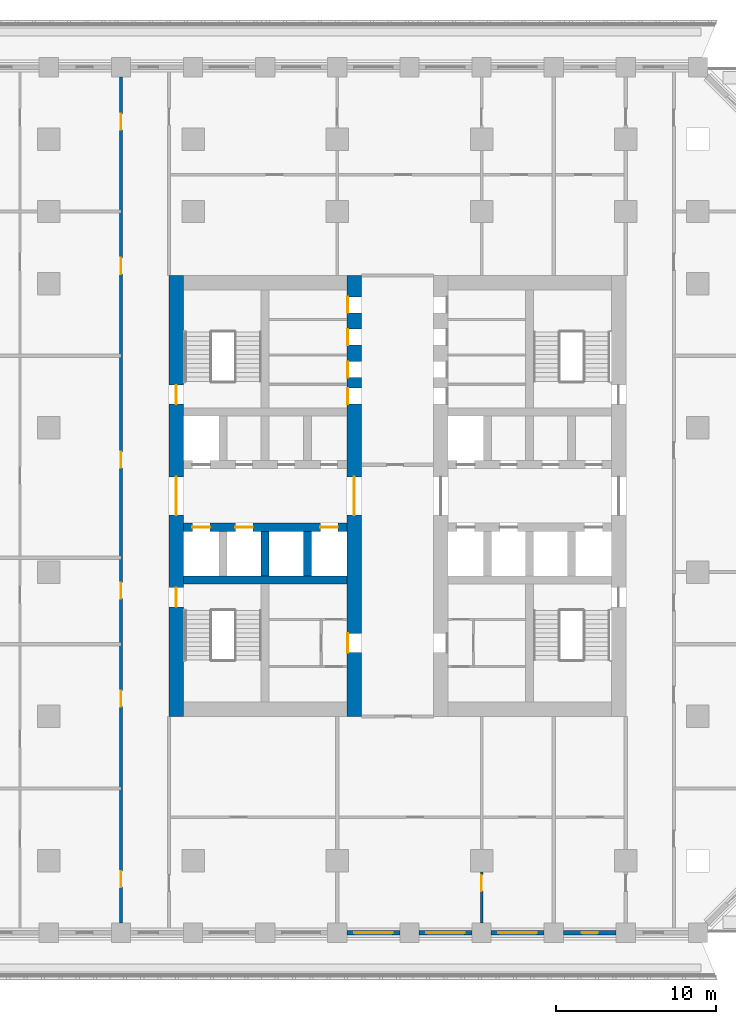
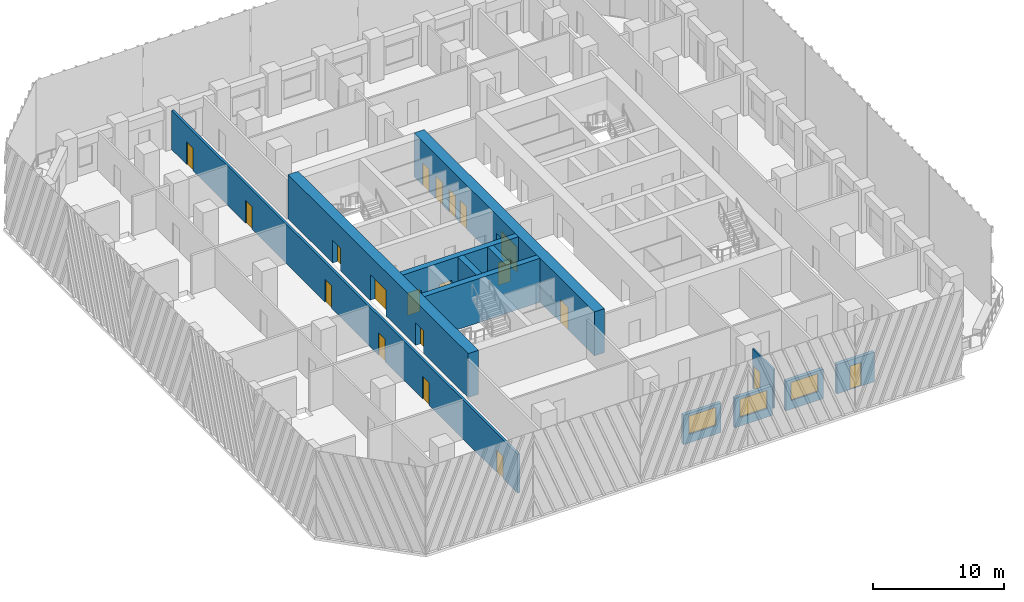
# One storey, part 4 of 19: 20 doors, 12 walls, 3 windows, 23 openings.
"""IFC4 building model written with IfcOpenShell, lengths in metres."""

from ifc_helpers import new_model, si_unit, direction, frame, frame_2d, origin, place, context, subcontext, project, spatial, rectangle, extrude, material, layer, layer_set, type_object, element, fill, save


model = new_model("IFC4")

# Units and contexts
model_context = context("Model", 3, precision=1e-05, world=origin(), true_north=direction((0.0, 1.0)))
body_context = subcontext(model_context, "Body", "Model", "MODEL_VIEW")
ifc_project = project(units=[si_unit("LENGTHUNIT", "METRE"), si_unit("AREAUNIT", "SQUARE_METRE"), si_unit("VOLUMEUNIT", "CUBIC_METRE"), si_unit("PLANEANGLEUNIT", "RADIAN"), si_unit("MASSUNIT", "GRAM", prefix="KILO")], contexts=[model_context])

# Site, building, storey
site_placement = place(None, origin())
site = spatial("IfcSite", under=ifc_project, at=site_placement, CompositionType="ELEMENT")
building_placement = place(site_placement, origin())
building = spatial("IfcBuilding", under=site, at=building_placement, Name="Corbel Stack Research Tower", CompositionType="ELEMENT")
storey_placement = place(building_placement, frame((0.0, 0.0, 116.699951171875)))
storey = spatial("IfcBuildingStorey", under=building, at=storey_placement, Name="L26", CompositionType="ELEMENT", Elevation=116.699951171875)

# Wall
ifc_material_1 = material(Name="Concrete C70/85", Category="concrete")
ifc_layer_1 = layer(ifc_material_1, 0.5)
ifc_layer_set_1 = layer_set([ifc_layer_1], Name="Concrete C70/85")
wall_type_1 = type_object("IfcWallType", Name="CW-500-70", PredefinedType="SHEAR", material=ifc_layer_set_1)
wall_1_placement = place(storey_placement, frame((-9.60009765625, -0.5, 0.0), z_axis=(0.0, 0.0, 1.0), x_axis=(1.0, 0.0, 0.0)))
element("IfcWall", 1, at=wall_1_placement, inside=storey, type_object=wall_type_1, Name="West core wall, south row back L26", PredefinedType="SHEAR", context=body_context, shape_type="SweptSolid", body=[
    extrude(rectangle(XDim=10.2001953125, YDim=0.5, at=frame_2d((5.10009765625, 0.0))), origin(), (0.0, 0.0, 1.0), 4.10009765625),
])

# Wall, openings, doors
wall_2_placement = place(storey_placement, frame((-9.60009765625, 2.800048828125, 0.0), z_axis=(0.0, 0.0, 1.0), x_axis=(1.0, 0.0, 0.0)))
wall_2 = element("IfcWall", 2, at=wall_2_placement, inside=storey, type_object=wall_type_1, Name="West core wall, lobby south L26", PredefinedType="SHEAR", context=body_context, shape_type="SweptSolid", body=[
    extrude(rectangle(XDim=10.2001953125, YDim=0.5, at=frame_2d((5.10009765625, 0.0))), origin(), (0.0, 0.0, 1.0), 4.10009765625),
])
opening_1_placement = place(wall_2_placement, frame((0.5625, 0.0, 0.0)))
opening_1 = element("IfcOpeningElement", 3, at=opening_1_placement, cuts=wall_2, Name="Opening LD-FS1", PredefinedType="OPENING", context=body_context, shape_type="SweptSolid", body=[
    extrude(rectangle(XDim=1.10009765625, YDim=2.10009765625, at=frame_2d((0.550048828125, 1.050048828125))), frame((0.0, 0.260009765625, 0.0), z_axis=(0.0, -1.0, 0.0), x_axis=(1.0, 0.0, 0.0)), (0.0, 0.0, 1.0), 0.52001953125),
])
opening_2_placement = place(wall_2_placement, frame((3.237548828125, 0.0, 0.0)))
opening_2 = element("IfcOpeningElement", 4, at=opening_2_placement, cuts=wall_2, Name="Opening LD-GL1", PredefinedType="OPENING", context=body_context, shape_type="SweptSolid", body=[
    extrude(rectangle(XDim=1.10009765625, YDim=2.10009765625, at=frame_2d((0.550048828125, 1.050048828125))), frame((0.0, 0.260009765625, 0.0), z_axis=(0.0, -1.0, 0.0), x_axis=(1.0, 0.0, 0.0)), (0.0, 0.0, 1.0), 0.52001953125),
])
opening_3_placement = place(wall_2_placement, frame((8.53759765625, 0.0, 0.0)))
opening_3 = element("IfcOpeningElement", 5, at=opening_3_placement, cuts=wall_2, Name="Opening LD-LR1", PredefinedType="OPENING", context=body_context, shape_type="SweptSolid", body=[
    extrude(rectangle(XDim=1.10009765625, YDim=2.10009765625, at=frame_2d((0.550048828125, 1.050048828125))), frame((0.0, 0.260009765625, 0.0), z_axis=(0.0, -1.0, 0.0), x_axis=(1.0, 0.0, 0.0)), (0.0, 0.0, 1.0), 0.52001953125),
])
ifc_material_2 = material(Name="Stainless steel landing door", Category="steel")
door_type_1 = type_object("IfcDoorType", Name="Lift landing door 1100 x 2100", OperationType="DOUBLE_DOOR_SLIDING", PredefinedType="DOOR", material=ifc_material_2)
door_1_placement = place(opening_1_placement, origin())
door_1 = element("IfcDoor", 6, at=door_1_placement, inside=storey, type_object=door_type_1, Name="Landing door FS1", OperationType="DOUBLE_DOOR_SLIDING", OverallHeight=2.10009765625, OverallWidth=1.10009765625, PredefinedType="DOOR", context=body_context, shape_type="SweptSolid", body=[
    extrude(rectangle(XDim=1.10009765625, YDim=2.10009765625, at=frame_2d((0.550048828125, 1.050048828125))), frame((0.0, 0.02490234375, 0.0), z_axis=(0.0, -1.0, 0.0), x_axis=(1.0, 0.0, 0.0)), (0.0, 0.0, 1.0), 0.050048828125),
])
fill(opening_1, door_1)
door_2_placement = place(opening_2_placement, origin())
door_2 = element("IfcDoor", 7, at=door_2_placement, inside=storey, type_object=door_type_1, Name="Landing door GL1", OperationType="DOUBLE_DOOR_SLIDING", OverallHeight=2.10009765625, OverallWidth=1.10009765625, PredefinedType="DOOR", context=body_context, shape_type="SweptSolid", body=[
    extrude(rectangle(XDim=1.10009765625, YDim=2.10009765625, at=frame_2d((0.550048828125, 1.050048828125))), frame((0.0, 0.02490234375, 0.0), z_axis=(0.0, -1.0, 0.0), x_axis=(1.0, 0.0, 0.0)), (0.0, 0.0, 1.0), 0.050048828125),
])
fill(opening_2, door_2)
door_3_placement = place(opening_3_placement, origin())
door_3 = element("IfcDoor", 8, at=door_3_placement, inside=storey, type_object=door_type_1, Name="Landing door LR1", OperationType="DOUBLE_DOOR_SLIDING", OverallHeight=2.10009765625, OverallWidth=1.10009765625, PredefinedType="DOOR", context=body_context, shape_type="SweptSolid", body=[
    extrude(rectangle(XDim=1.10009765625, YDim=2.10009765625, at=frame_2d((0.550048828125, 1.050048828125))), frame((0.0, 0.02490234375, 0.0), z_axis=(0.0, -1.0, 0.0), x_axis=(1.0, 0.0, 0.0)), (0.0, 0.0, 1.0), 0.050048828125),
])
fill(opening_3, door_3)

# Walls
for number, where, z_axis, x_axis, name in (
    (9, (-4.5, -0.25, 0.0), (0.0, 0.0, 1.0), (0.0, 1.0, 0.0), "West core wall, south shaft 2 L26"),
    (10, (-1.875, -0.25, 0.0), (0.0, 0.0, 1.0), (0.0, 1.0, 0.0), "West core wall, south shaft 3 L26"),
):
    element("IfcWall", number, at=place(storey_placement, frame(where, z_axis=z_axis, x_axis=x_axis)), inside=storey, type_object=wall_type_1, Name=name, PredefinedType="SHEAR", context=body_context, shape_type="SweptSolid", body=[
        extrude(rectangle(XDim=2.800048828125, YDim=0.5, at=frame_2d((1.39990234375, 0.0))), origin(), (0.0, 0.0, 1.0), 4.10009765625),
    ])

# Wall, openings, doors
ifc_material_3 = material(Name="Concrete C70/85", Category="concrete")
ifc_layer_2 = layer(ifc_material_3, 0.89990234375)
ifc_layer_set_2 = layer_set([ifc_layer_2], Name="Concrete C70/85")
wall_type_2 = type_object("IfcWallType", Name="CW-900-70", PredefinedType="SHEAR", material=ifc_layer_set_2)
wall_3_placement = place(storey_placement, frame((-10.050048828125, -9.0, 0.0), z_axis=(0.0, 0.0, 1.0), x_axis=(0.0, 1.0, 0.0)))
wall_3 = element("IfcWall", 11, at=wall_3_placement, inside=storey, type_object=wall_type_2, Name="West core wall, west face L26", PredefinedType="SHEAR", context=body_context, shape_type="SweptSolid", body=[
    extrude(rectangle(XDim=27.5, YDim=0.89990234375, at=frame_2d((13.75, 0.0))), origin(), (0.0, 0.0, 1.0), 4.10009765625),
])
opening_4_placement = place(wall_3_placement, frame((12.550048828125, 0.0, 0.0)))
opening_4 = element("IfcOpeningElement", 12, at=opening_4_placement, cuts=wall_3, Name="Opening CD-W-W", PredefinedType="OPENING", context=body_context, shape_type="SweptSolid", body=[
    extrude(rectangle(XDim=2.39990234375, YDim=2.39990234375, at=frame_2d((1.199951171875, 1.199951171875))), frame((0.0, 0.4599609375, 0.0), z_axis=(0.0, -1.0, 0.0), x_axis=(1.0, 0.0, 0.0)), (0.0, 0.0, 1.0), 0.919921875),
])
opening_5_placement = place(wall_3_placement, frame((6.824951171875, 0.0, 0.0)))
opening_5 = element("IfcOpeningElement", 13, at=opening_5_placement, cuts=wall_3, Name="Opening SD-ST-W1", PredefinedType="OPENING", context=body_context, shape_type="SweptSolid", body=[
    extrude(rectangle(XDim=1.199951171875, YDim=2.10009765625, at=frame_2d((0.60009765625, 1.050048828125))), frame((0.0, 0.4599609375, 0.0), z_axis=(0.0, -1.0, 0.0), x_axis=(1.0, 0.0, 0.0)), (0.0, 0.0, 1.0), 0.919921875),
])
opening_6_placement = place(wall_3_placement, frame((19.47509765625, 0.0, 0.0)))
opening_6 = element("IfcOpeningElement", 14, at=opening_6_placement, cuts=wall_3, Name="Opening SD-ST-W2", PredefinedType="OPENING", context=body_context, shape_type="SweptSolid", body=[
    extrude(rectangle(XDim=1.199951171875, YDim=2.10009765625, at=frame_2d((0.60009765625, 1.050048828125))), frame((0.0, 0.4599609375, 0.0), z_axis=(0.0, -1.0, 0.0), x_axis=(1.0, 0.0, 0.0)), (0.0, 0.0, 1.0), 0.919921875),
])
ifc_material_4 = material(Name="Painted steel fire door", Category="steel")
door_type_2 = type_object("IfcDoorType", Name="Lobby door pair 2400 x 2400 FD30S", OperationType="DOUBLE_DOOR_DOUBLE_SWING", PredefinedType="DOOR", material=ifc_material_4)
door_4_placement = place(opening_4_placement, origin())
door_4 = element("IfcDoor", 15, at=door_4_placement, inside=storey, type_object=door_type_2, Name="Lift lobby door W core W", OperationType="DOUBLE_DOOR_DOUBLE_SWING", OverallHeight=2.39990234375, OverallWidth=2.39990234375, PredefinedType="DOOR", context=body_context, shape_type="SweptSolid", body=[
    extrude(rectangle(XDim=2.39990234375, YDim=2.39990234375, at=frame_2d((1.199951171875, 1.199951171875))), frame((0.0, 0.02490234375, 0.0), z_axis=(0.0, -1.0, 0.0), x_axis=(1.0, 0.0, 0.0)), (0.0, 0.0, 1.0), 0.050048828125),
])
fill(opening_4, door_4)
ifc_material_5 = material(Name="Painted steel fire door", Category="steel")
door_type_3 = type_object("IfcDoorType", Name="Stair door 1200 x 2100 FD90 left hand", OperationType="SINGLE_SWING_LEFT", PredefinedType="DOOR", material=ifc_material_5)
door_5_placement = place(opening_5_placement, origin())
door_5 = element("IfcDoor", 16, at=door_5_placement, inside=storey, type_object=door_type_3, Name="Stair door ST-W1", OperationType="SINGLE_SWING_LEFT", OverallHeight=2.10009765625, OverallWidth=1.199951171875, PredefinedType="DOOR", context=body_context, shape_type="SweptSolid", body=[
    extrude(rectangle(XDim=1.199951171875, YDim=2.10009765625, at=frame_2d((0.60009765625, 1.050048828125))), frame((0.0, 0.02490234375, 0.0), z_axis=(0.0, -1.0, 0.0), x_axis=(1.0, 0.0, 0.0)), (0.0, 0.0, 1.0), 0.050048828125),
])
fill(opening_5, door_5)
door_6_placement = place(opening_6_placement, origin())
door_6 = element("IfcDoor", 17, at=door_6_placement, inside=storey, type_object=door_type_3, Name="Stair door ST-W2", OperationType="SINGLE_SWING_LEFT", OverallHeight=2.10009765625, OverallWidth=1.199951171875, PredefinedType="DOOR", context=body_context, shape_type="SweptSolid", body=[
    extrude(rectangle(XDim=1.199951171875, YDim=2.10009765625, at=frame_2d((0.60009765625, 1.050048828125))), frame((0.0, 0.02490234375, 0.0), z_axis=(0.0, -1.0, 0.0), x_axis=(1.0, 0.0, 0.0)), (0.0, 0.0, 1.0), 0.050048828125),
])
fill(opening_6, door_6)

wall_4_placement = place(storey_placement, frame((1.050048828125, -9.0, 0.0), z_axis=(0.0, 0.0, 1.0), x_axis=(0.0, 1.0, 0.0)))
wall_4 = element("IfcWall", 18, at=wall_4_placement, inside=storey, type_object=wall_type_2, Name="West core wall, east face L26", PredefinedType="SHEAR", context=body_context, shape_type="SweptSolid", body=[
    extrude(rectangle(XDim=27.5, YDim=0.89990234375, at=frame_2d((13.75, 0.0))), origin(), (0.0, 0.0, 1.0), 4.10009765625),
])
opening_7_placement = place(wall_4_placement, frame((12.550048828125, 0.0, 0.0)))
opening_7 = element("IfcOpeningElement", 19, at=opening_7_placement, cuts=wall_4, Name="Opening CD-W-E", PredefinedType="OPENING", context=body_context, shape_type="SweptSolid", body=[
    extrude(rectangle(XDim=2.39990234375, YDim=2.39990234375, at=frame_2d((1.199951171875, 1.199951171875))), frame((0.0, 0.4599609375, 0.0), z_axis=(0.0, -1.0, 0.0), x_axis=(1.0, 0.0, 0.0)), (0.0, 0.0, 1.0), 0.919921875),
])
opening_8_placement = place(wall_4_placement, frame((3.97509765625, 0.0, 0.0)))
opening_8 = element("IfcOpeningElement", 20, at=opening_8_placement, cuts=wall_4, Name="Opening CR-W36-W1-1200", PredefinedType="OPENING", context=body_context, shape_type="SweptSolid", body=[
    extrude(rectangle(XDim=1.199951171875, YDim=2.10009765625, at=frame_2d((0.60009765625, 1.050048828125))), frame((0.0, 0.4599609375, 0.0), z_axis=(0.0, -1.0, 0.0), x_axis=(1.0, 0.0, 0.0)), (0.0, 0.0, 1.0), 0.919921875),
])
opening_9_placement = place(wall_4_placement, frame((19.485107421875, 0.0, 0.0)))
opening_9 = element("IfcOpeningElement", 21, at=opening_9_placement, cuts=wall_4, Name="Opening CR-W36-R1-1000", PredefinedType="OPENING", context=body_context, shape_type="SweptSolid", body=[
    extrude(rectangle(XDim=1.0, YDim=2.10009765625, at=frame_2d((0.5, 1.050048828125))), frame((0.0, 0.4599609375, 0.0), z_axis=(0.0, -1.0, 0.0), x_axis=(1.0, 0.0, 0.0)), (0.0, 0.0, 1.0), 0.919921875),
])
opening_10_placement = place(wall_4_placement, frame((21.138916015625, 0.0, 0.0)))
opening_10 = element("IfcOpeningElement", 22, at=opening_10_placement, cuts=wall_4, Name="Opening CR-W36-R2-1000", PredefinedType="OPENING", context=body_context, shape_type="SweptSolid", body=[
    extrude(rectangle(XDim=1.0, YDim=2.10009765625, at=frame_2d((0.5, 1.050048828125))), frame((0.0, 0.4599609375, 0.0), z_axis=(0.0, -1.0, 0.0), x_axis=(1.0, 0.0, 0.0)), (0.0, 0.0, 1.0), 0.919921875),
])
opening_11_placement = place(wall_4_placement, frame((23.159912109375, 0.0, 0.0)))
opening_11 = element("IfcOpeningElement", 23, at=opening_11_placement, cuts=wall_4, Name="Opening CR-W36-R3-1000", PredefinedType="OPENING", context=body_context, shape_type="SweptSolid", body=[
    extrude(rectangle(XDim=1.0, YDim=2.10009765625, at=frame_2d((0.5, 1.050048828125))), frame((0.0, 0.4599609375, 0.0), z_axis=(0.0, -1.0, 0.0), x_axis=(1.0, 0.0, 0.0)), (0.0, 0.0, 1.0), 0.919921875),
])
opening_12_placement = place(wall_4_placement, frame((25.18115234375, 0.0, 0.0)))
opening_12 = element("IfcOpeningElement", 24, at=opening_12_placement, cuts=wall_4, Name="Opening CR-W36-R4-1000", PredefinedType="OPENING", context=body_context, shape_type="SweptSolid", body=[
    extrude(rectangle(XDim=1.0, YDim=2.10009765625, at=frame_2d((0.5, 1.050048828125))), frame((0.0, 0.4599609375, 0.0), z_axis=(0.0, -1.0, 0.0), x_axis=(1.0, 0.0, 0.0)), (0.0, 0.0, 1.0), 0.919921875),
])
door_7_placement = place(opening_7_placement, origin())
door_7 = element("IfcDoor", 25, at=door_7_placement, inside=storey, type_object=door_type_2, Name="Lift lobby door W core E", OperationType="DOUBLE_DOOR_DOUBLE_SWING", OverallHeight=2.39990234375, OverallWidth=2.39990234375, PredefinedType="DOOR", context=body_context, shape_type="SweptSolid", body=[
    extrude(rectangle(XDim=2.39990234375, YDim=2.39990234375, at=frame_2d((1.199951171875, 1.199951171875))), frame((0.0, 0.02490234375, 0.0), z_axis=(0.0, -1.0, 0.0), x_axis=(1.0, 0.0, 0.0)), (0.0, 0.0, 1.0), 0.050048828125),
])
fill(opening_7, door_7)
ifc_material_6 = material(Name="Painted steel door", Category="steel")
door_type_4 = type_object("IfcDoorType", Name="Riser door 1000 x 2100 FD60 left hand", OperationType="SINGLE_SWING_LEFT", PredefinedType="DOOR", material=ifc_material_6)
door_8_placement = place(opening_9_placement, origin())
door_8 = element("IfcDoor", 26, at=door_8_placement, inside=storey, type_object=door_type_4, Name="Electrical riser door W core", OperationType="SINGLE_SWING_LEFT", OverallHeight=2.10009765625, OverallWidth=1.0, PredefinedType="DOOR", context=body_context, shape_type="SweptSolid", body=[
    extrude(rectangle(XDim=1.0, YDim=2.10009765625, at=frame_2d((0.5, 1.050048828125))), frame((0.0, 0.4248046875, 0.0), z_axis=(0.0, -1.0, 0.0), x_axis=(1.0, 0.0, 0.0)), (0.0, 0.0, 1.0), 0.050048828125),
])
fill(opening_9, door_8)
ifc_material_7 = material(Name="Painted steel door", Category="steel")
door_type_5 = type_object("IfcDoorType", Name="Riser door 1000 x 2100 FD60 right hand", OperationType="SINGLE_SWING_RIGHT", PredefinedType="DOOR", material=ifc_material_7)
door_9_placement = place(opening_10_placement, origin())
door_9 = element("IfcDoor", 27, at=door_9_placement, inside=storey, type_object=door_type_5, Name="Telecom room door W core", OperationType="SINGLE_SWING_RIGHT", OverallHeight=2.10009765625, OverallWidth=1.0, PredefinedType="DOOR", context=body_context, shape_type="SweptSolid", body=[
    extrude(rectangle(XDim=1.0, YDim=2.10009765625, at=frame_2d((0.5, 1.050048828125))), frame((0.0, 0.4248046875, 0.0), z_axis=(0.0, -1.0, 0.0), x_axis=(1.0, 0.0, 0.0)), (0.0, 0.0, 1.0), 0.050048828125),
])
fill(opening_10, door_9)
ifc_material_8 = material(Name="Painted steel door", Category="steel")
door_type_6 = type_object("IfcDoorType", Name="Service door 1000 x 2100 FD30 left hand", OperationType="SINGLE_SWING_LEFT", PredefinedType="DOOR", material=ifc_material_8)
door_10_placement = place(opening_11_placement, origin())
door_10 = element("IfcDoor", 28, at=door_10_placement, inside=storey, type_object=door_type_6, Name="Pantry door W core", OperationType="SINGLE_SWING_LEFT", OverallHeight=2.10009765625, OverallWidth=1.0, PredefinedType="DOOR", context=body_context, shape_type="SweptSolid", body=[
    extrude(rectangle(XDim=1.0, YDim=2.10009765625, at=frame_2d((0.5, 1.050048828125))), frame((0.0, 0.4248046875, 0.0), z_axis=(0.0, -1.0, 0.0), x_axis=(1.0, 0.0, 0.0)), (0.0, 0.0, 1.0), 0.050048828125),
])
fill(opening_11, door_10)
ifc_material_9 = material(Name="Painted steel door", Category="steel")
door_type_7 = type_object("IfcDoorType", Name="Service door 1000 x 2100 FD30 right hand", OperationType="SINGLE_SWING_RIGHT", PredefinedType="DOOR", material=ifc_material_9)
door_11_placement = place(opening_12_placement, origin())
door_11 = element("IfcDoor", 29, at=door_11_placement, inside=storey, type_object=door_type_7, Name="Cleaner's store door W core", OperationType="SINGLE_SWING_RIGHT", OverallHeight=2.10009765625, OverallWidth=1.0, PredefinedType="DOOR", context=body_context, shape_type="SweptSolid", body=[
    extrude(rectangle(XDim=1.0, YDim=2.10009765625, at=frame_2d((0.5, 1.050048828125))), frame((0.0, 0.4248046875, 0.0), z_axis=(0.0, -1.0, 0.0), x_axis=(1.0, 0.0, 0.0)), (0.0, 0.0, 1.0), 0.050048828125),
])
fill(opening_12, door_11)
ifc_material_10 = material(Name="Painted timber door", Category="wood")
door_type_8 = type_object("IfcDoorType", Name="WC door 1200 x 2100 left hand", OperationType="SINGLE_SWING_LEFT", PredefinedType="DOOR", material=ifc_material_10)
door_12_placement = place(opening_8_placement, origin())
door_12 = element("IfcDoor", 30, at=door_12_placement, inside=storey, type_object=door_type_8, Name="WC lobby door W core", OperationType="SINGLE_SWING_LEFT", OverallHeight=2.10009765625, OverallWidth=1.199951171875, PredefinedType="DOOR", context=body_context, shape_type="SweptSolid", body=[
    extrude(rectangle(XDim=1.199951171875, YDim=2.10009765625, at=frame_2d((0.60009765625, 1.050048828125))), frame((0.0, 0.4248046875, 0.0), z_axis=(0.0, -1.0, 0.0), x_axis=(1.0, 0.0, 0.0)), (0.0, 0.0, 1.0), 0.050048828125),
])
fill(opening_8, door_12)

# Wall, opening, door
ifc_material_11 = material(Name="Fire-rated gypsum board partition on steel studs", Category="steel")
ifc_layer_3 = layer(ifc_material_11, 0.14990234375)
ifc_layer_set_3 = layer_set([ifc_layer_3], Name="Fire-rated gypsum board partition on steel studs")
wall_type_3 = type_object("IfcWallType", Name="Fire-rated partition 150 EI 60", PredefinedType="PARTITIONING", material=ifc_layer_set_3)
wall_5_placement = place(storey_placement, frame((9.0, -18.699951171875, 0.0), z_axis=(0.0, 0.0, 1.0), x_axis=(0.0, -1.0, 0.0)))
wall_5 = element("IfcWall", 31, at=wall_5_placement, inside=storey, type_object=wall_type_3, Name="Partition L26-010", PredefinedType="PARTITIONING", context=body_context, shape_type="SweptSolid", body=[
    extrude(rectangle(XDim=3.199951171875, YDim=0.14990234375, at=frame_2d((1.60009765625, 0.0))), origin(), (0.0, 0.0, 1.0), 3.650146484375),
])
opening_13_placement = place(wall_5_placement, frame((0.199951171875, 0.0, 0.0)))
opening_13 = element("IfcOpeningElement", 32, at=opening_13_placement, cuts=wall_5, Name="Opening B4V0H-022", PredefinedType="OPENING", context=body_context, shape_type="SweptSolid", body=[
    extrude(rectangle(XDim=1.0, YDim=2.10009765625, at=frame_2d((0.5, 1.050048828125))), frame((0.0, 0.0849609375, 0.0), z_axis=(0.0, -1.0, 0.0), x_axis=(1.0, 0.0, 0.0)), (0.0, 0.0, 1.0), 0.169921875),
])
ifc_material_12 = material(Name="Painted steel fire door", Category="steel")
door_type_9 = type_object("IfcDoorType", Name="Fire door FD30S 1000 x 2100", OperationType="NOTDEFINED", PredefinedType="DOOR", material=ifc_material_12)
door_13_placement = place(opening_13_placement, origin())
door_13 = element("IfcDoor", 33, at=door_13_placement, inside=storey, type_object=door_type_9, Name="Door B4V0H-022", OperationType="SINGLE_SWING_LEFT", OverallHeight=2.10009765625, OverallWidth=1.0, PredefinedType="DOOR", context=body_context, shape_type="SweptSolid", body=[
    extrude(rectangle(XDim=1.0, YDim=2.10009765625, at=frame_2d((0.5, 1.050048828125))), frame((0.0, 0.02490234375, 0.0), z_axis=(0.0, -1.0, 0.0), x_axis=(1.0, 0.0, 0.0)), (0.0, 0.0, 1.0), 0.050048828125),
])
fill(opening_13, door_13)

# Wall, openings, doors
ifc_material_13 = material(Name="Fire-rated gypsum board partition on steel studs", Category="steel")
ifc_layer_4 = layer(ifc_material_13, 0.199951171875)
ifc_layer_set_4 = layer_set([ifc_layer_4], Name="Fire-rated gypsum board partition on steel studs")
wall_type_4 = type_object("IfcWallType", Name="Fire-rated partition 200 EI 60", PredefinedType="PARTITIONING", material=ifc_layer_set_4)
wall_6_placement = place(storey_placement, frame((-13.5, -21.89990234375, 0.0), z_axis=(0.0, 0.0, 1.0), x_axis=(0.0, 1.0, 0.0)))
wall_6 = element("IfcWall", 34, at=wall_6_placement, inside=storey, type_object=wall_type_4, Name="Partition L26-002", PredefinedType="PARTITIONING", context=body_context, shape_type="SweptSolid", body=[
    extrude(rectangle(XDim=52.7998046875, YDim=0.199951171875, at=frame_2d((26.39990234375, 0.0))), origin(), (0.0, 0.0, 1.0), 3.650146484375),
])
opening_14_placement = place(wall_6_placement, frame((2.25, 0.0, 0.0)))
opening_14 = element("IfcOpeningElement", 35, at=opening_14_placement, cuts=wall_6, Name="Opening B4V0H-011", PredefinedType="OPENING", context=body_context, shape_type="SweptSolid", body=[
    extrude(rectangle(XDim=1.0, YDim=2.10009765625, at=frame_2d((0.5, 1.050048828125))), frame((0.0, 0.10986328125, 0.0), z_axis=(0.0, -1.0, 0.0), x_axis=(1.0, 0.0, 0.0)), (0.0, 0.0, 1.0), 0.219970703125),
])
opening_15_placement = place(wall_6_placement, frame((13.5, 0.0, 0.0)))
opening_15 = element("IfcOpeningElement", 36, at=opening_15_placement, cuts=wall_6, Name="Opening B4V0H-012", PredefinedType="OPENING", context=body_context, shape_type="SweptSolid", body=[
    extrude(rectangle(XDim=1.0, YDim=2.10009765625, at=frame_2d((0.5, 1.050048828125))), frame((0.0, 0.10986328125, 0.0), z_axis=(0.0, -1.0, 0.0), x_axis=(1.0, 0.0, 0.0)), (0.0, 0.0, 1.0), 0.219970703125),
])
opening_16_placement = place(wall_6_placement, frame((20.25, 0.0, 0.0)))
opening_16 = element("IfcOpeningElement", 37, at=opening_16_placement, cuts=wall_6, Name="Opening B4V0H-013", PredefinedType="OPENING", context=body_context, shape_type="SweptSolid", body=[
    extrude(rectangle(XDim=1.0, YDim=2.10009765625, at=frame_2d((0.5, 1.050048828125))), frame((0.0, 0.10986328125, 0.0), z_axis=(0.0, -1.0, 0.0), x_axis=(1.0, 0.0, 0.0)), (0.0, 0.0, 1.0), 0.219970703125),
])
opening_17_placement = place(wall_6_placement, frame((28.39990234375, 0.0, 0.0)))
opening_17 = element("IfcOpeningElement", 38, at=opening_17_placement, cuts=wall_6, Name="Opening B4V0H-014", PredefinedType="OPENING", context=body_context, shape_type="SweptSolid", body=[
    extrude(rectangle(XDim=1.0, YDim=2.10009765625, at=frame_2d((0.5, 1.050048828125))), frame((0.0, 0.10986328125, 0.0), z_axis=(0.0, -1.0, 0.0), x_axis=(1.0, 0.0, 0.0)), (0.0, 0.0, 1.0), 0.219970703125),
])
opening_18_placement = place(wall_6_placement, frame((40.5, 0.0, 0.0)))
opening_18 = element("IfcOpeningElement", 39, at=opening_18_placement, cuts=wall_6, Name="Opening B4V0H-015", PredefinedType="OPENING", context=body_context, shape_type="SweptSolid", body=[
    extrude(rectangle(XDim=1.0, YDim=2.10009765625, at=frame_2d((0.5, 1.050048828125))), frame((0.0, 0.10986328125, 0.0), z_axis=(0.0, -1.0, 0.0), x_axis=(1.0, 0.0, 0.0)), (0.0, 0.0, 1.0), 0.219970703125),
])
opening_19_placement = place(wall_6_placement, frame((49.5, 0.0, 0.0)))
opening_19 = element("IfcOpeningElement", 40, at=opening_19_placement, cuts=wall_6, Name="Opening B4V0H-016", PredefinedType="OPENING", context=body_context, shape_type="SweptSolid", body=[
    extrude(rectangle(XDim=1.0, YDim=2.10009765625, at=frame_2d((0.5, 1.050048828125))), frame((0.0, 0.10986328125, 0.0), z_axis=(0.0, -1.0, 0.0), x_axis=(1.0, 0.0, 0.0)), (0.0, 0.0, 1.0), 0.219970703125),
])
door_14_placement = place(opening_14_placement, origin())
door_14 = element("IfcDoor", 41, at=door_14_placement, inside=storey, type_object=door_type_9, Name="Door B4V0H-011", OperationType="SINGLE_SWING_LEFT", OverallHeight=2.10009765625, OverallWidth=1.0, PredefinedType="DOOR", context=body_context, shape_type="SweptSolid", body=[
    extrude(rectangle(XDim=1.0, YDim=2.10009765625, at=frame_2d((0.5, 1.050048828125))), frame((0.0, 0.02490234375, 0.0), z_axis=(0.0, -1.0, 0.0), x_axis=(1.0, 0.0, 0.0)), (0.0, 0.0, 1.0), 0.050048828125),
])
fill(opening_14, door_14)
door_15_placement = place(opening_15_placement, origin())
door_15 = element("IfcDoor", 42, at=door_15_placement, inside=storey, type_object=door_type_9, Name="Door B4V0H-012", OperationType="SINGLE_SWING_LEFT", OverallHeight=2.10009765625, OverallWidth=1.0, PredefinedType="DOOR", context=body_context, shape_type="SweptSolid", body=[
    extrude(rectangle(XDim=1.0, YDim=2.10009765625, at=frame_2d((0.5, 1.050048828125))), frame((0.0, 0.02490234375, 0.0), z_axis=(0.0, -1.0, 0.0), x_axis=(1.0, 0.0, 0.0)), (0.0, 0.0, 1.0), 0.050048828125),
])
fill(opening_15, door_15)
door_16_placement = place(opening_16_placement, origin())
door_16 = element("IfcDoor", 43, at=door_16_placement, inside=storey, type_object=door_type_9, Name="Door B4V0H-013", OperationType="SINGLE_SWING_LEFT", OverallHeight=2.10009765625, OverallWidth=1.0, PredefinedType="DOOR", context=body_context, shape_type="SweptSolid", body=[
    extrude(rectangle(XDim=1.0, YDim=2.10009765625, at=frame_2d((0.5, 1.050048828125))), frame((0.0, 0.02490234375, 0.0), z_axis=(0.0, -1.0, 0.0), x_axis=(1.0, 0.0, 0.0)), (0.0, 0.0, 1.0), 0.050048828125),
])
fill(opening_16, door_16)
door_17_placement = place(opening_17_placement, origin())
door_17 = element("IfcDoor", 44, at=door_17_placement, inside=storey, type_object=door_type_9, Name="Door B4V0H-014", OperationType="SINGLE_SWING_RIGHT", OverallHeight=2.10009765625, OverallWidth=1.0, PredefinedType="DOOR", context=body_context, shape_type="SweptSolid", body=[
    extrude(rectangle(XDim=1.0, YDim=2.10009765625, at=frame_2d((0.5, 1.050048828125))), frame((0.0, 0.02490234375, 0.0), z_axis=(0.0, -1.0, 0.0), x_axis=(1.0, 0.0, 0.0)), (0.0, 0.0, 1.0), 0.050048828125),
])
fill(opening_17, door_17)
door_18_placement = place(opening_18_placement, origin())
door_18 = element("IfcDoor", 45, at=door_18_placement, inside=storey, type_object=door_type_9, Name="Door B4V0H-015", OperationType="SINGLE_SWING_RIGHT", OverallHeight=2.10009765625, OverallWidth=1.0, PredefinedType="DOOR", context=body_context, shape_type="SweptSolid", body=[
    extrude(rectangle(XDim=1.0, YDim=2.10009765625, at=frame_2d((0.5, 1.050048828125))), frame((0.0, 0.02490234375, 0.0), z_axis=(0.0, -1.0, 0.0), x_axis=(1.0, 0.0, 0.0)), (0.0, 0.0, 1.0), 0.050048828125),
])
fill(opening_18, door_18)
door_19_placement = place(opening_19_placement, origin())
door_19 = element("IfcDoor", 46, at=door_19_placement, inside=storey, type_object=door_type_9, Name="Door B4V0H-016", OperationType="SINGLE_SWING_RIGHT", OverallHeight=2.10009765625, OverallWidth=1.0, PredefinedType="DOOR", context=body_context, shape_type="SweptSolid", body=[
    extrude(rectangle(XDim=1.0, YDim=2.10009765625, at=frame_2d((0.5, 1.050048828125))), frame((0.0, 0.02490234375, 0.0), z_axis=(0.0, -1.0, 0.0), x_axis=(1.0, 0.0, 0.0)), (0.0, 0.0, 1.0), 0.050048828125),
])
fill(opening_19, door_19)

# Wall, opening, window
ifc_material_14 = material(Name="Concrete C45/55", Category="concrete")
ifc_layer_5 = layer(ifc_material_14, 0.300048828125)
ifc_layer_set_5 = layer_set([ifc_layer_5], Name="Concrete C45/55")
wall_type_5 = type_object("IfcWallType", Name="Terracotta-faced concrete wall 300", PredefinedType="SOLIDWALL", material=ifc_layer_set_5)
wall_7_placement = place(storey_placement, frame((3.89990234375, -22.5, 0.0), z_axis=(0.0, 0.0, 1.0), x_axis=(-1.0, 0.0, 0.0)))
wall_7 = element("IfcWall", 47, at=wall_7_placement, inside=storey, type_object=wall_type_5, Name="Facade wall L26 S06", PredefinedType="SOLIDWALL", context=body_context, shape_type="SweptSolid", body=[
    extrude(rectangle(XDim=3.2998046875, YDim=0.300048828125, at=frame_2d((1.64990234375, 0.0))), origin(), (0.0, 0.0, 1.0), 2.75),
])
opening_20_placement = place(wall_7_placement, frame((0.449951171875, 0.0, 0.800048828125)))
opening_20 = element("IfcOpeningElement", 48, at=opening_20_placement, cuts=wall_7, Name="Opening W1", PredefinedType="OPENING", context=body_context, shape_type="SweptSolid", body=[
    extrude(rectangle(XDim=2.39990234375, YDim=1.699951171875, at=frame_2d((1.199951171875, 0.85009765625))), frame((0.0, 0.159912109375, 0.0), z_axis=(0.0, -1.0, 0.0), x_axis=(1.0, 0.0, 0.0)), (0.0, 0.0, 1.0), 0.320068359375),
])
ifc_material_15 = material(Name="Aluminium frame, clear double glazing", Category="aluminium")
window_type = type_object("IfcWindowType", Name="Window W1 2400 x 1700", PartitioningType="SINGLE_PANEL", PredefinedType="WINDOW", material=ifc_material_15)
window_1_placement = place(opening_20_placement, origin())
window_1 = element("IfcWindow", 49, at=window_1_placement, inside=storey, type_object=window_type, Name="Window W1 L26 S06", OverallHeight=1.699951171875, OverallWidth=2.39990234375, PartitioningType="SINGLE_PANEL", PredefinedType="WINDOW", context=body_context, shape_type="SweptSolid", body=[
    extrude(rectangle(XDim=2.39990234375, YDim=1.699951171875, at=frame_2d((1.199951171875, 0.85009765625))), frame((0.0, 0.030029296875, 0.0), z_axis=(0.0, -1.0, 0.0), x_axis=(1.0, 0.0, 0.0)), (0.0, 0.0, 1.0), 0.06005859375),
])
fill(opening_20, window_1)

wall_8_placement = place(storey_placement, frame((8.39990234375, -22.5, 0.0), z_axis=(0.0, 0.0, 1.0), x_axis=(-1.0, 0.0, 0.0)))
wall_8 = element("IfcWall", 50, at=wall_8_placement, inside=storey, type_object=wall_type_5, Name="Facade wall L26 S07", PredefinedType="SOLIDWALL", context=body_context, shape_type="SweptSolid", body=[
    extrude(rectangle(XDim=3.2998046875, YDim=0.300048828125, at=frame_2d((1.64990234375, 0.0))), origin(), (0.0, 0.0, 1.0), 2.75),
])
opening_21_placement = place(wall_8_placement, frame((0.449951171875, 0.0, 0.800048828125)))
opening_21 = element("IfcOpeningElement", 51, at=opening_21_placement, cuts=wall_8, Name="Opening W1", PredefinedType="OPENING", context=body_context, shape_type="SweptSolid", body=[
    extrude(rectangle(XDim=2.39990234375, YDim=1.699951171875, at=frame_2d((1.199951171875, 0.85009765625))), frame((0.0, 0.159912109375, 0.0), z_axis=(0.0, -1.0, 0.0), x_axis=(1.0, 0.0, 0.0)), (0.0, 0.0, 1.0), 0.320068359375),
])
window_2_placement = place(opening_21_placement, origin())
window_2 = element("IfcWindow", 52, at=window_2_placement, inside=storey, type_object=window_type, Name="Window W1 L26 S07", OverallHeight=1.699951171875, OverallWidth=2.39990234375, PartitioningType="SINGLE_PANEL", PredefinedType="WINDOW", context=body_context, shape_type="SweptSolid", body=[
    extrude(rectangle(XDim=2.39990234375, YDim=1.699951171875, at=frame_2d((1.199951171875, 0.85009765625))), frame((0.0, 0.030029296875, 0.0), z_axis=(0.0, -1.0, 0.0), x_axis=(1.0, 0.0, 0.0)), (0.0, 0.0, 1.0), 0.06005859375),
])
fill(opening_21, window_2)

wall_9_placement = place(storey_placement, frame((12.89990234375, -22.5, 0.0), z_axis=(0.0, 0.0, 1.0), x_axis=(-1.0, 0.0, 0.0)))
wall_9 = element("IfcWall", 53, at=wall_9_placement, inside=storey, type_object=wall_type_5, Name="Facade wall L26 S08", PredefinedType="SOLIDWALL", context=body_context, shape_type="SweptSolid", body=[
    extrude(rectangle(XDim=3.2998046875, YDim=0.300048828125, at=frame_2d((1.64990234375, 0.0))), origin(), (0.0, 0.0, 1.0), 2.75),
])
opening_22_placement = place(wall_9_placement, frame((0.449951171875, 0.0, 0.800048828125)))
opening_22 = element("IfcOpeningElement", 54, at=opening_22_placement, cuts=wall_9, Name="Opening W1", PredefinedType="OPENING", context=body_context, shape_type="SweptSolid", body=[
    extrude(rectangle(XDim=2.39990234375, YDim=1.699951171875, at=frame_2d((1.199951171875, 0.85009765625))), frame((0.0, 0.159912109375, 0.0), z_axis=(0.0, -1.0, 0.0), x_axis=(1.0, 0.0, 0.0)), (0.0, 0.0, 1.0), 0.320068359375),
])
window_3_placement = place(opening_22_placement, origin())
window_3 = element("IfcWindow", 55, at=window_3_placement, inside=storey, type_object=window_type, Name="Window W1 L26 S08", OverallHeight=1.699951171875, OverallWidth=2.39990234375, PartitioningType="SINGLE_PANEL", PredefinedType="WINDOW", context=body_context, shape_type="SweptSolid", body=[
    extrude(rectangle(XDim=2.39990234375, YDim=1.699951171875, at=frame_2d((1.199951171875, 0.85009765625))), frame((0.0, 0.030029296875, 0.0), z_axis=(0.0, -1.0, 0.0), x_axis=(1.0, 0.0, 0.0)), (0.0, 0.0, 1.0), 0.06005859375),
])
fill(opening_22, window_3)

# Wall, opening, door
wall_10_placement = place(storey_placement, frame((17.39990234375, -22.5, 0.0), z_axis=(0.0, 0.0, 1.0), x_axis=(-1.0, 0.0, 0.0)))
wall_10 = element("IfcWall", 56, at=wall_10_placement, inside=storey, type_object=wall_type_5, Name="Facade wall L26 S09", PredefinedType="SOLIDWALL", context=body_context, shape_type="SweptSolid", body=[
    extrude(rectangle(XDim=3.2998046875, YDim=0.300048828125, at=frame_2d((1.64990234375, 0.0))), origin(), (0.0, 0.0, 1.0), 2.75),
])
opening_23_placement = place(wall_10_placement, frame((1.14990234375, 0.0, 0.0)))
opening_23 = element("IfcOpeningElement", 57, at=opening_23_placement, cuts=wall_10, Name="Opening L26-B02", PredefinedType="OPENING", context=body_context, shape_type="SweptSolid", body=[
    extrude(rectangle(XDim=1.0, YDim=2.199951171875, at=frame_2d((0.5, 1.10009765625))), frame((0.0, 0.159912109375, 0.0), z_axis=(0.0, -1.0, 0.0), x_axis=(1.0, 0.0, 0.0)), (0.0, 0.0, 1.0), 0.320068359375),
])
ifc_material_16 = material(Name="Aluminium frame, clear double glazing", Category="aluminium")
door_type_10 = type_object("IfcDoorType", Name="Balcony door BD1 1000 x 2200", OperationType="NOTDEFINED", PredefinedType="DOOR", material=ifc_material_16)
door_20_placement = place(opening_23_placement, origin())
door_20 = element("IfcDoor", 58, at=door_20_placement, inside=storey, type_object=door_type_10, Name="Balcony door L26-B02", OperationType="SINGLE_SWING_LEFT", OverallHeight=2.199951171875, OverallWidth=1.0, PredefinedType="DOOR", context=body_context, shape_type="SweptSolid", body=[
    extrude(rectangle(XDim=1.0, YDim=2.199951171875, at=frame_2d((0.5, 1.10009765625))), frame((0.0, 0.02490234375, 0.0), z_axis=(0.0, -1.0, 0.0), x_axis=(1.0, 0.0, 0.0)), (0.0, 0.0, 1.0), 0.050048828125),
])
fill(opening_23, door_20)

save(model, "model.ifc")
